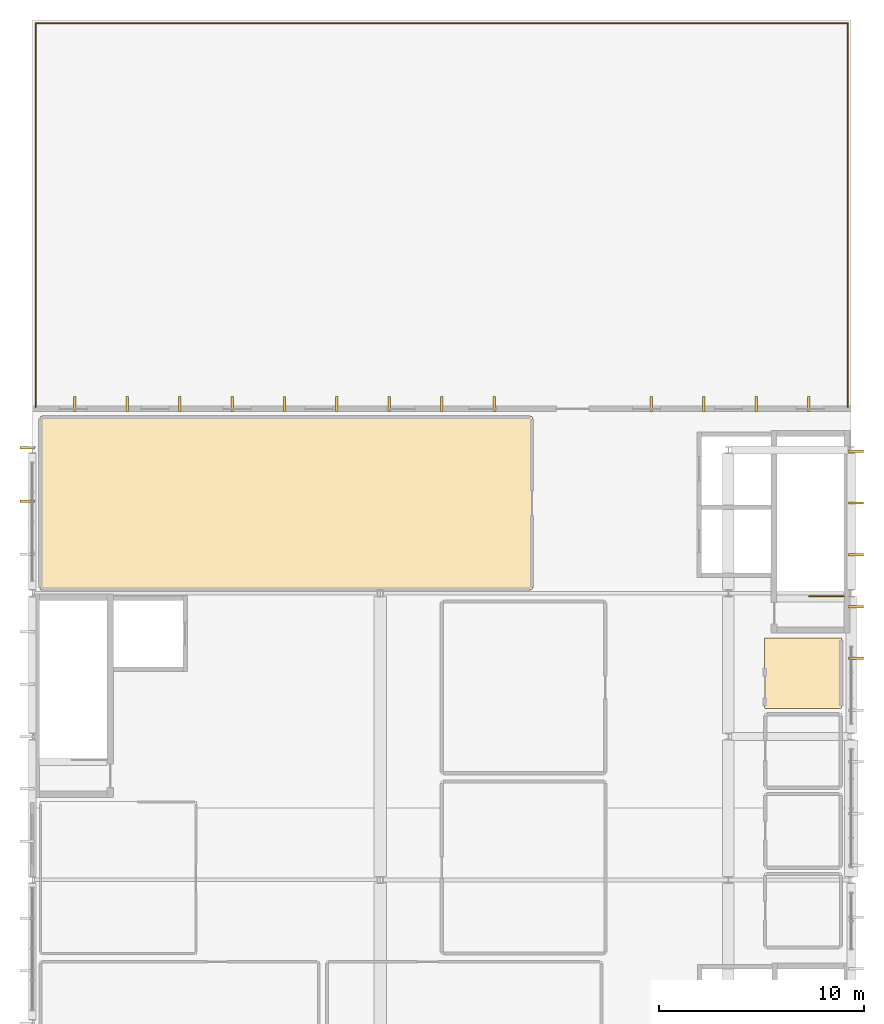
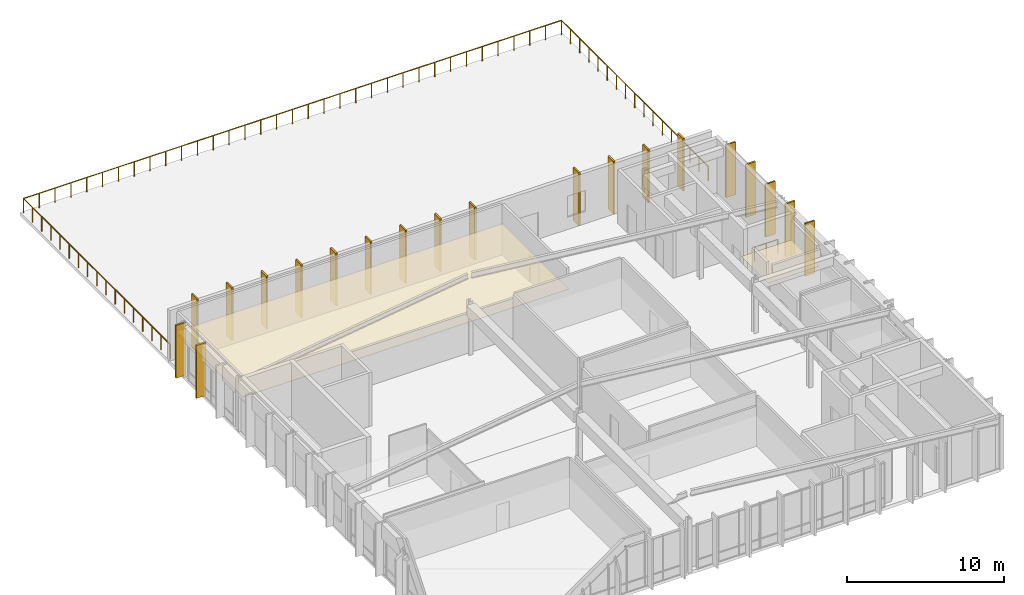
# One storey, part 16 of 16: 22 coverings, 2 railings.
"""IFC4 building model written with IfcOpenShell, lengths in metres."""

import ifcopenshell
import ifcopenshell.guid

model = None  # the IFC model being written
_history = None  # IfcOwnerHistory: only IFC2X3 demands one
_inside = {}  # id of a spatial element -> (the spatial element, [elements in it])
_under = {}  # id of a project, library or spatial element -> (it, [spatial elements below it])
_declared = {}  # id of a project -> (the project, [libraries it declares])
_typed = {}  # id of a type object -> (the type object, [elements of that type])
_made_of = {}  # id of a material, layer set ... -> (it, [elements and type objects made of it])


def new_model(schema):
    """Start an empty IFC model of exactly this schema.

    Asked for "IFC4X3", IfcOpenShell would pick the latest addendum, in which some entities
    have other attributes; the version numbers below select the first issue.
    IFC2X3 requires an IfcOwnerHistory on every rooted entity: one is made here for all.
    """
    global model, _history
    if schema == "IFC4X3":
        model = ifcopenshell.file(schema_version=(4, 3, 0, 0))
    else:
        model = ifcopenshell.file(schema=schema)
    _inside.clear()
    _under.clear()
    _declared.clear()
    _typed.clear()
    _made_of.clear()
    _history = None
    if model.schema == "IFC2X3":
        org = make("IfcOrganization", Name="unknown")
        user = make(
            "IfcPersonAndOrganization",
            ThePerson=make("IfcPerson", FamilyName="unknown"),
            TheOrganization=org,
        )
        app = make(
            "IfcApplication",
            ApplicationDeveloper=org,
            Version="unknown",
            ApplicationFullName="unknown",
            ApplicationIdentifier="unknown",
        )
        _history = make(
            "IfcOwnerHistory",
            OwningUser=user,
            OwningApplication=app,
            ChangeAction="ADDED",
            CreationDate=0,
        )
    return model


def make(cls, **values):
    """One entity of the class cls with the attributes given. An attribute that is None is left unset."""
    return model.create_entity(
        cls, **{name: value for name, value in values.items() if value is not None}
    )


def rooted(cls, **values):
    """An entity with a GlobalId (a new one), such as an element, a storey or a relation."""
    return make(cls, GlobalId=ifcopenshell.guid.new(), OwnerHistory=_history, **values)


def si_unit(unit_type, name, prefix=None):
    """IfcSIUnit, for example si_unit("LENGTHUNIT", "METRE", prefix="MILLI")."""
    return make("IfcSIUnit", UnitType=unit_type, Prefix=prefix, Name=name)


def assignment(units):
    """IfcUnitAssignment: the units of a project."""
    return None if units is None else make("IfcUnitAssignment", Units=units)


def point(xyz):
    """IfcCartesianPoint."""
    return None if xyz is None else make("IfcCartesianPoint", Coordinates=xyz)


def direction(xyz):
    """IfcDirection."""
    return None if xyz is None else make("IfcDirection", DirectionRatios=xyz)


def frame(location, z_axis=None, x_axis=None):
    """IfcAxis2Placement3D, a coordinate frame: its origin and axes. An axis left out is left unset."""
    return make(
        "IfcAxis2Placement3D",
        Location=point(location),
        Axis=direction(z_axis),
        RefDirection=direction(x_axis),
    )


def frame_2d(location, x_axis=None):
    """IfcAxis2Placement2D, a coordinate frame in the plane: its origin and x axis."""
    return make(
        "IfcAxis2Placement2D", Location=point(location), RefDirection=direction(x_axis)
    )


def origin():
    """The frame at (0, 0, 0) with its axes left unset."""
    return frame((0.0, 0.0, 0.0))


def origin_2d():
    """The frame at (0, 0) in the plane with its x axis left unset."""
    return frame_2d((0.0, 0.0))


def place(relative_to, where):
    """IfcLocalPlacement: puts the frame where relative to a parent placement (None: the world)."""
    return make(
        "IfcLocalPlacement", PlacementRelTo=relative_to, RelativePlacement=where
    )


def context(
    kind, dimensions, precision=None, world=None, true_north=None, identifier=None
):
    """IfcGeometricRepresentationContext, for example the 3D "Model" context."""
    return make(
        "IfcGeometricRepresentationContext",
        ContextIdentifier=identifier,
        ContextType=kind,
        CoordinateSpaceDimension=dimensions,
        Precision=precision,
        WorldCoordinateSystem=world,
        TrueNorth=true_north,
    )


def subcontext(parent, identifier, kind, view, scale=None):
    """IfcGeometricRepresentationSubContext, for example "Body" below "Model"."""
    return make(
        "IfcGeometricRepresentationSubContext",
        ContextIdentifier=identifier,
        ContextType=kind,
        ParentContext=parent,
        TargetScale=scale,
        TargetView=view,
    )


def project(units=None, contexts=None):
    """IfcProject with its units and contexts."""
    return rooted(
        "IfcProject",
        Name="project",
        RepresentationContexts=contexts,
        UnitsInContext=assignment(units),
    )


def spatial(cls, under=None, at=None, **own):
    """A site, building, storey or space (cls), placed at a placement, below another one or the project."""
    s = rooted(cls, ObjectPlacement=at, **own)
    if under is not None:
        _under.setdefault(under.id(), (under, []))[1].append(s)
    return s


def polyline(points):
    """IfcPolyline through the points."""
    return make("IfcPolyline", Points=[point(p) for p in points])


def profile(cls, at=None, kind="AREA", **sizes):
    """A parametric profile (cls). Its sizes go by their IFC names, for example OverallWidth=200.0."""
    return make(cls, ProfileType=kind, Position=at, **sizes)


def rectangle(**sizes):
    """IfcRectangleProfileDef."""
    return profile("IfcRectangleProfileDef", **sizes)


def circle(**sizes):
    """IfcCircleProfileDef."""
    return profile("IfcCircleProfileDef", **sizes)


def outline(outer, holes=None, kind="AREA"):
    """IfcArbitraryClosedProfileDef: a profile drawn as a closed curve; with holes, ...WithVoids."""
    if holes is None:
        return make("IfcArbitraryClosedProfileDef", ProfileType=kind, OuterCurve=outer)
    return make(
        "IfcArbitraryProfileDefWithVoids",
        ProfileType=kind,
        OuterCurve=outer,
        InnerCurves=holes,
    )


def extrude(swept, where, along, depth):
    """IfcExtrudedAreaSolid: the profile swept, set in the frame where, extruded along a direction by depth."""
    return make(
        "IfcExtrudedAreaSolid",
        SweptArea=swept,
        Position=where,
        ExtrudedDirection=direction(along),
        Depth=depth,
    )


def shape(context_of_items, identifier, shape_type, items):
    """IfcShapeRepresentation: the items that make up one representation, for example the "Body"."""
    return make(
        "IfcShapeRepresentation",
        ContextOfItems=context_of_items,
        RepresentationIdentifier=identifier,
        RepresentationType=shape_type,
        Items=items,
    )


def material(Name=None, Category=None):
    """IfcMaterial."""
    return make("IfcMaterial", Name=Name, Category=Category)


def layer(
    of_material, thickness, ventilated=None, Name=None, Category=None, Priority=None
):
    """IfcMaterialLayer: one layer of a wall or slab, of a material (None: an air gap)."""
    return make(
        "IfcMaterialLayer",
        Material=of_material,
        LayerThickness=thickness,
        IsVentilated=ventilated,
        Name=Name,
        Category=Category,
        Priority=Priority,
    )


def layer_set(layers, Name=None):
    """IfcMaterialLayerSet."""
    return make("IfcMaterialLayerSet", MaterialLayers=layers, LayerSetName=Name)


def made_of(thing, what):
    """Note that an element or type object is made of a material, layer set ...; save() writes the relation."""
    if what is not None:
        _made_of.setdefault(what.id(), (what, []))[1].append(thing)
    return thing


def type_object(cls, material=None, **own):
    """A type object (cls), such as IfcWallType, which elements share."""
    return made_of(rooted(cls, **own), material)


def element(
    cls,
    number,
    at=None,
    inside=None,
    cuts=None,
    type_object=None,
    material=None,
    context=None,
    identifier="Body",
    shape_type=None,
    held_by="IfcProductDefinitionShape",
    body=None,
    shapes=None,
    **own,
):
    """One element of the class cls, such as IfcWall. Its Tag is "e" and its number.

    at: its placement. inside: the storey or other place that contains it. cuts: it is an
    opening in that element (IfcRelVoidsElement). A single representation is given by context,
    identifier, shape_type and body (its items); several are given by shapes. held_by: the class
    of the entity that holds the representations. save() writes the other relations.
    """
    e = rooted(cls, Tag="e%d" % number, ObjectPlacement=at, **own)
    if body is not None:
        shapes = [shape(context, identifier, shape_type, body)]
    if shapes is not None:
        e.Representation = make(held_by, Representations=shapes)
    if inside is not None:
        _inside.setdefault(inside.id(), (inside, []))[1].append(e)
    if cuts is not None:
        rooted(
            "IfcRelVoidsElement", RelatingBuildingElement=cuts, RelatedOpeningElement=e
        )
    if type_object is not None:
        _typed.setdefault(type_object.id(), (type_object, []))[1].append(e)
    return made_of(e, material)


def aggregate(whole, parts):
    """IfcRelAggregates: a whole, such as a stair, and the parts it consists of."""
    return rooted("IfcRelAggregates", RelatingObject=whole, RelatedObjects=parts)


def save(model, path):
    """Write the relations noted so far, then the file.

    IfcRelAggregates (storeys below a building ...), IfcRelContainedInSpatialStructure (elements
    in a storey), IfcRelDefinesByType, IfcRelAssociatesMaterial and IfcRelDeclares: one each for
    every whole, place, type object, material and project.
    """
    for whole, parts in _under.values():
        aggregate(whole, parts)
    for where, things in _inside.values():
        rooted(
            "IfcRelContainedInSpatialStructure",
            RelatedElements=things,
            RelatingStructure=where,
        )
    for kind, things in _typed.values():
        rooted("IfcRelDefinesByType", RelatedObjects=things, RelatingType=kind)
    for what, things in _made_of.values():
        rooted("IfcRelAssociatesMaterial", RelatedObjects=things, RelatingMaterial=what)
    for by, libraries in _declared.values():
        rooted("IfcRelDeclares", RelatingContext=by, RelatedDefinitions=libraries)
    model.write(path)


model = new_model("IFC4")

# Units and contexts
model_context = context("Model", 3, precision=1e-05, world=origin(), true_north=direction((0.0, 1.0)))
body_context = subcontext(model_context, "Body", "Model", "MODEL_VIEW")
ifc_project = project(units=[si_unit("LENGTHUNIT", "METRE"), si_unit("AREAUNIT", "SQUARE_METRE"), si_unit("VOLUMEUNIT", "CUBIC_METRE"), si_unit("PLANEANGLEUNIT", "RADIAN"), si_unit("MASSUNIT", "GRAM", prefix="KILO")], contexts=[model_context])

# Site, building, storey
site_placement = place(None, origin())
site = spatial("IfcSite", under=ifc_project, at=site_placement, CompositionType="ELEMENT")
building_placement = place(site_placement, origin())
building = spatial("IfcBuilding", under=site, at=building_placement, Name="Larkveld Mobility Hub", CompositionType="ELEMENT")
storey_placement = place(building_placement, frame((0.0, 0.0, 22.800048828125)))
storey = spatial("IfcBuildingStorey", under=building, at=storey_placement, Name="L06", CompositionType="ELEMENT", Elevation=22.800048828125)

# Coverings
ifc_material_1 = material(Name="Precast concrete C50/60", Category="concrete")
ifc_layer_1 = layer(ifc_material_1, 0.1201171875, Name="Precast concrete C50/60", Category="concrete")
ifc_layer_set_1 = layer_set([ifc_layer_1], Name="Precast concrete C50/60")
covering_type_1 = type_object("IfcCoveringType", Name="COV-QSL-V01", PredefinedType="CLADDING", material=ifc_layer_set_1)
for number, where, z_axis, x_axis, name in (
    (1, (111.760009765625, 63.10009765625, -0.02001953125), (0.0, 0.0, 1.0), (0.0, -1.0, 0.0), "Precast Quebra-Sol Vertical Fin QSV-657"),
    (2, (111.760009765625, 60.5, -0.02001953125), (0.0, 0.0, 1.0), (0.0, -1.0, 0.0), "Precast Quebra-Sol Vertical Fin QSV-658"),
    (3, (152.239990234375, 52.821044921875, -0.02001953125), (0.0, 0.0, 1.0), (0.0, 1.0, 0.0), "Precast Quebra-Sol Vertical Fin QSV-669"),
    (4, (152.239990234375, 55.35009765625, -0.02001953125), (0.0, 0.0, 1.0), (0.0, 1.0, 0.0), "Precast Quebra-Sol Vertical Fin QSV-670"),
    (5, (152.239990234375, 57.87890625, -0.02001953125), (0.0, 0.0, 1.0), (0.0, 1.0, 0.0), "Precast Quebra-Sol Vertical Fin QSV-671"),
    (6, (152.239990234375, 60.406982421875, -0.02001953125), (0.0, 0.0, 1.0), (0.0, 1.0, 0.0), "Precast Quebra-Sol Vertical Fin QSV-672"),
    (7, (152.239990234375, 62.93603515625, -0.02001953125), (0.0, 0.0, 1.0), (0.0, 1.0, 0.0), "Precast Quebra-Sol Vertical Fin QSV-673"),
    (8, (149.919921875, 65.239990234375, -0.02001953125), (0.0, 0.0, 1.0), (-1.0, 0.0, 0.0), "Precast Quebra-Sol Vertical Fin QSV-674"),
    (9, (147.360107421875, 65.239990234375, -0.02001953125), (0.0, 0.0, 1.0), (-1.0, 0.0, 0.0), "Precast Quebra-Sol Vertical Fin QSV-675"),
    (10, (144.800048828125, 65.239990234375, -0.02001953125), (0.0, 0.0, 1.0), (-1.0, 0.0, 0.0), "Precast Quebra-Sol Vertical Fin QSV-676"),
    (11, (142.239990234375, 65.239990234375, -0.02001953125), (0.0, 0.0, 1.0), (-1.0, 0.0, 0.0), "Precast Quebra-Sol Vertical Fin QSV-677"),
    (12, (134.56005859375, 65.239990234375, -0.02001953125), (0.0, 0.0, 1.0), (-1.0, 0.0, 0.0), "Precast Quebra-Sol Vertical Fin QSV-678"),
    (13, (132.0, 65.239990234375, -0.02001953125), (0.0, 0.0, 1.0), (-1.0, 0.0, 0.0), "Precast Quebra-Sol Vertical Fin QSV-679"),
    (14, (129.43994140625, 65.239990234375, -0.02001953125), (0.0, 0.0, 1.0), (-1.0, 0.0, 0.0), "Precast Quebra-Sol Vertical Fin QSV-680"),
    (15, (126.8798828125, 65.239990234375, -0.02001953125), (0.0, 0.0, 1.0), (-1.0, 0.0, 0.0), "Precast Quebra-Sol Vertical Fin QSV-681"),
    (16, (124.320068359375, 65.239990234375, -0.02001953125), (0.0, 0.0, 1.0), (-1.0, 0.0, 0.0), "Precast Quebra-Sol Vertical Fin QSV-682"),
    (17, (121.760009765625, 65.239990234375, -0.02001953125), (0.0, 0.0, 1.0), (-1.0, 0.0, 0.0), "Precast Quebra-Sol Vertical Fin QSV-683"),
    (18, (119.199951171875, 65.239990234375, -0.02001953125), (0.0, 0.0, 1.0), (-1.0, 0.0, 0.0), "Precast Quebra-Sol Vertical Fin QSV-684"),
    (19, (116.639892578125, 65.239990234375, -0.02001953125), (0.0, 0.0, 1.0), (-1.0, 0.0, 0.0), "Precast Quebra-Sol Vertical Fin QSV-685"),
    (20, (114.080078125, 65.239990234375, -0.02001953125), (0.0, 0.0, 1.0), (-1.0, 0.0, 0.0), "Precast Quebra-Sol Vertical Fin QSV-686"),
):
    element("IfcCovering", number, at=place(storey_placement, frame(where, z_axis=z_axis, x_axis=x_axis)), inside=storey, type_object=covering_type_1, Name=name, PredefinedType="CLADDING", context=body_context, shape_type="SweptSolid", body=[
        extrude(rectangle(XDim=0.1201171875, YDim=0.719970703125, at=origin_2d()), origin(), (0.0, 0.0, 1.0), 4.1201171875),
    ])
ifc_material_2 = material(Name="Perforated mineral-fibre acoustic ceiling", Category="masonry")
ifc_layer_2 = layer(ifc_material_2, 0.02001953125, Name="Perforated mineral-fibre acoustic ceiling", Category="masonry")
ifc_layer_set_2 = layer_set([ifc_layer_2], Name="Perforated mineral-fibre acoustic ceiling")
covering_type_2 = type_object("IfcCoveringType", Name="CV-CLG-020", PredefinedType="CEILING", material=ifc_layer_set_2)
covering_1_placement = place(storey_placement, frame((0.0, 0.0, 2.329833984375)))
element("IfcCovering", 21, at=covering_1_placement, inside=storey, type_object=covering_type_2, Name="Cleaners Store Room Acoustic Ceiling 064", PredefinedType="CEILING", context=body_context, shape_type="SweptSolid", body=[
    extrude(outline(polyline([(147.820068359375, 50.3701171875), (147.81689453125, 50.3701171875), (147.81396484375, 50.37109375), (147.81103515625, 50.37109375), (147.80908203125, 50.3720703125), (147.805908203125, 50.3740234375), (147.802978515625, 50.375), (147.801025390625, 50.376953125), (147.799072265625, 50.37890625), (147.779052734375, 50.39892578125), (147.777099609375, 50.40087890625), (147.77490234375, 50.403076171875), (147.77392578125, 50.406005859375), (147.77197265625, 50.408935546875), (147.77099609375, 50.410888671875), (147.77099609375, 50.4140625), (147.77001953125, 50.4169921875), (147.77001953125, 50.419921875), (147.77587890625, 53.7939453125), (147.77587890625, 53.797119140625), (147.77587890625, 53.800048828125), (147.777099609375, 53.802978515625), (147.778076171875, 53.805908203125), (147.779052734375, 53.80810546875), (147.781005859375, 53.81103515625), (147.782958984375, 53.81298828125), (147.784912109375, 53.81494140625), (147.787109375, 53.81689453125), (147.7890625, 53.819091796875), (147.7919921875, 53.821044921875), (147.7939453125, 53.822021484375), (147.797119140625, 53.822998046875), (147.800048828125, 53.823974609375), (147.802978515625, 53.823974609375), (147.805908203125, 53.823974609375), (151.493896484375, 53.823974609375), (151.4970703125, 53.823974609375), (151.5, 53.823974609375), (151.5029296875, 53.822998046875), (151.506103515625, 53.822021484375), (151.508056640625, 53.821044921875), (151.510986328125, 53.819091796875), (151.512939453125, 53.81689453125), (151.514892578125, 53.81494140625), (151.51708984375, 53.81298828125), (151.51904296875, 53.81103515625), (151.52099609375, 53.80810546875), (151.52197265625, 53.805908203125), (151.52294921875, 53.802978515625), (151.52392578125, 53.800048828125), (151.52392578125, 53.797119140625), (151.52392578125, 53.7939453125), (151.52392578125, 50.406005859375), (151.52392578125, 50.403076171875), (151.52392578125, 50.39990234375), (151.52294921875, 50.39697265625), (151.52197265625, 50.39404296875), (151.52099609375, 50.39208984375), (151.51904296875, 50.388916015625), (151.51708984375, 50.386962890625), (151.514892578125, 50.385009765625), (151.512939453125, 50.383056640625), (151.510986328125, 50.381103515625), (151.508056640625, 50.37890625), (151.506103515625, 50.3779296875), (151.5029296875, 50.376953125), (151.5, 50.3759765625), (151.4970703125, 50.3759765625), (151.493896484375, 50.3759765625), (147.820068359375, 50.3701171875)])), origin(), (0.0, 0.0, 1.0), 0.02001953125),
])
ifc_material_3 = material(Name="Moisture-resistant gypsum board ceiling", Category="masonry")
ifc_layer_3 = layer(ifc_material_3, 0.02490234375, Name="Moisture-resistant gypsum board ceiling", Category="masonry")
ifc_layer_set_3 = layer_set([ifc_layer_3], Name="Moisture-resistant gypsum board ceiling")
covering_type_3 = type_object("IfcCoveringType", Name="CV-CLG-025", PredefinedType="CEILING", material=ifc_layer_set_3)
covering_2_placement = place(storey_placement, frame((0.0, 0.0, 2.324951171875)))
element("IfcCovering", 22, at=covering_2_placement, inside=storey, type_object=covering_type_3, Name="Harbour View Spectator Club Lounge Acoustic Ceiling 069", PredefinedType="CEILING", context=body_context, shape_type="SweptSolid", body=[
    extrude(outline(polyline([(112.419921875, 56.169921875), (112.4169921875, 56.169921875), (112.4140625, 56.1708984375), (112.410888671875, 56.1708984375), (112.408935546875, 56.172119140625), (112.406005859375, 56.174072265625), (112.403076171875, 56.175048828125), (112.40087890625, 56.177001953125), (112.39892578125, 56.178955078125), (112.37890625, 56.198974609375), (112.376953125, 56.200927734375), (112.375, 56.202880859375), (112.3740234375, 56.2060546875), (112.3720703125, 56.208984375), (112.37109375, 56.2109375), (112.37109375, 56.214111328125), (112.3701171875, 56.217041015625), (112.3701171875, 56.219970703125), (112.3701171875, 64.580078125), (112.3701171875, 64.5830078125), (112.37109375, 64.5859375), (112.3720703125, 64.589111328125), (112.373046875, 64.592041015625), (112.3740234375, 64.594970703125), (112.3759765625, 64.597900390625), (112.389892578125, 64.616943359375), (112.39208984375, 64.618896484375), (112.39404296875, 64.6220703125), (112.39697265625, 64.6240234375), (112.39892578125, 64.625), (112.402099609375, 64.626953125), (112.405029296875, 64.6279296875), (112.407958984375, 64.6279296875), (112.410888671875, 64.62890625), (112.4140625, 64.62890625), (136.3798828125, 64.6298828125), (136.383056640625, 64.6298828125), (136.385009765625, 64.6298828125), (136.387939453125, 64.62890625), (136.39111328125, 64.6279296875), (136.39306640625, 64.626953125), (136.39599609375, 64.6259765625), (136.39794921875, 64.6240234375), (136.4169921875, 64.610107421875), (136.4189453125, 64.60791015625), (136.422119140625, 64.60595703125), (136.424072265625, 64.60302734375), (136.425048828125, 64.60107421875), (136.427001953125, 64.597900390625), (136.427978515625, 64.594970703125), (136.427978515625, 64.592041015625), (136.428955078125, 64.589111328125), (136.428955078125, 64.5859375), (136.429931640625, 56.219970703125), (136.429931640625, 56.217041015625), (136.429931640625, 56.215087890625), (136.428955078125, 56.2119140625), (136.427978515625, 56.208984375), (136.427001953125, 56.20703125), (136.426025390625, 56.2041015625), (136.424072265625, 56.201904296875), (136.409912109375, 56.18310546875), (136.407958984375, 56.180908203125), (136.406005859375, 56.177978515625), (136.403076171875, 56.176025390625), (136.40087890625, 56.175048828125), (136.39794921875, 56.173095703125), (136.39501953125, 56.172119140625), (136.39208984375, 56.172119140625), (136.388916015625, 56.1708984375), (136.385986328125, 56.1708984375), (112.419921875, 56.169921875)])), origin(), (0.0, 0.0, 1.0), 0.02490234375),
])

# Railings
ifc_material_4 = material(Name="Galvanized Steel S355JR balustrade", Category="steel")
railing_type_1 = type_object("IfcRailingType", Name="RL-GRD-1100", PredefinedType="GUARDRAIL", material=ifc_material_4)
railing_1_placement = place(storey_placement, frame((151.64990234375, 55.860107421875, 0.0)))
element("IfcRailing", 23, at=railing_1_placement, inside=storey, type_object=railing_type_1, Name="L06 ST2 top well guard 1", PredefinedType="GUARDRAIL", context=body_context, shape_type="SweptSolid", body=[
    extrude(circle(Radius=0.02392578125, at=origin_2d()), frame((0.0, 0.0, 1.076171875), z_axis=(-1.0, 0.0, 0.0), x_axis=(0.0, -1.0, 0.0)), (0.0, 0.0, 1.0), 1.7099609375),
    extrude(circle(Radius=0.02099609375, at=origin_2d()), origin(), (0.0, 0.0, 1.0), 1.052001953125),
    extrude(circle(Radius=0.02099609375, at=origin_2d()), frame((-0.85498046875, 0.0, 0.0)), (0.0, 0.0, 1.0), 1.052001953125),
    extrude(circle(Radius=0.02099609375, at=origin_2d()), frame((-1.7099609375, 0.0, 0.0)), (0.0, 0.0, 1.0), 1.052001953125),
])
ifc_material_5 = material(Name="Anodized aluminium 6063-T6 balustrade", Category="aluminium")
railing_type_2 = type_object("IfcRailingType", Name="RL-GRD-1150", PredefinedType="GUARDRAIL", material=ifc_material_5)
railing_2_placement = place(storey_placement, frame((112.159912109375, 65.080078125, 0.0)))
element("IfcRailing", 24, at=railing_2_placement, inside=storey, type_object=railing_type_2, Name="Spectator Veranda L06 Guard L06-056", PredefinedType="GUARDRAIL", context=body_context, shape_type="SweptSolid", body=[
    extrude(circle(Radius=0.02392578125, at=origin_2d()), frame((0.0, 0.0, 1.1259765625), z_axis=(0.0, 1.0, 0.0), x_axis=(-1.0, 0.0, 0.0)), (0.0, 0.0, 1.0), 18.760009765625),
    extrude(circle(Radius=0.02392578125, at=origin_2d()), frame((0.0, 18.760009765625, 1.1259765625), z_axis=(1.0, 0.0, 0.0), x_axis=(0.0, 1.0, 0.0)), (0.0, 0.0, 1.0), 39.68017578125),
    extrude(circle(Radius=0.02392578125, at=origin_2d()), frame((39.68017578125, 18.760009765625, 1.1259765625), z_axis=(0.0, -1.0, 0.0), x_axis=(1.0, 0.0, 0.0)), (0.0, 0.0, 1.0), 18.760009765625),
    extrude(circle(Radius=0.02099609375, at=origin_2d()), origin(), (0.0, 0.0, 1.0), 1.101806640625),
    extrude(circle(Radius=0.02099609375, at=origin_2d()), frame((0.0, 1.172607421875, 0.0)), (0.0, 0.0, 1.0), 1.101806640625),
    extrude(circle(Radius=0.02099609375, at=origin_2d()), frame((0.0, 2.344970703125, 0.0)), (0.0, 0.0, 1.0), 1.101806640625),
    extrude(circle(Radius=0.02099609375, at=origin_2d()), frame((0.0, 3.517578125, 0.0)), (0.0, 0.0, 1.0), 1.101806640625),
    extrude(circle(Radius=0.02099609375, at=origin_2d()), frame((0.0, 4.68994140625, 0.0)), (0.0, 0.0, 1.0), 1.101806640625),
    extrude(circle(Radius=0.02099609375, at=origin_2d()), frame((0.0, 5.862548828125, 0.0)), (0.0, 0.0, 1.0), 1.101806640625),
    extrude(circle(Radius=0.02099609375, at=origin_2d()), frame((0.0, 7.034912109375, 0.0)), (0.0, 0.0, 1.0), 1.101806640625),
    extrude(circle(Radius=0.02099609375, at=origin_2d()), frame((0.0, 8.20751953125, 0.0)), (0.0, 0.0, 1.0), 1.101806640625),
    extrude(circle(Radius=0.02099609375, at=origin_2d()), frame((0.0, 9.3798828125, 0.0)), (0.0, 0.0, 1.0), 1.101806640625),
    extrude(circle(Radius=0.02099609375, at=origin_2d()), frame((0.0, 10.552490234375, 0.0)), (0.0, 0.0, 1.0), 1.101806640625),
    extrude(circle(Radius=0.02099609375, at=origin_2d()), frame((0.0, 11.72509765625, 0.0)), (0.0, 0.0, 1.0), 1.101806640625),
    extrude(circle(Radius=0.02099609375, at=origin_2d()), frame((0.0, 12.8974609375, 0.0)), (0.0, 0.0, 1.0), 1.101806640625),
    extrude(circle(Radius=0.02099609375, at=origin_2d()), frame((0.0, 14.070068359375, 0.0)), (0.0, 0.0, 1.0), 1.101806640625),
    extrude(circle(Radius=0.02099609375, at=origin_2d()), frame((0.0, 15.242431640625, 0.0)), (0.0, 0.0, 1.0), 1.101806640625),
    extrude(circle(Radius=0.02099609375, at=origin_2d()), frame((0.0, 16.4150390625, 0.0)), (0.0, 0.0, 1.0), 1.101806640625),
    extrude(circle(Radius=0.02099609375, at=origin_2d()), frame((0.0, 17.58740234375, 0.0)), (0.0, 0.0, 1.0), 1.101806640625),
    extrude(circle(Radius=0.02099609375, at=origin_2d()), frame((0.0, 18.760009765625, 0.0)), (0.0, 0.0, 1.0), 1.101806640625),
    extrude(circle(Radius=0.02099609375, at=origin_2d()), frame((1.1669921875, 18.760009765625, 0.0)), (0.0, 0.0, 1.0), 1.101806640625),
    extrude(circle(Radius=0.02099609375, at=origin_2d()), frame((2.334228515625, 18.760009765625, 0.0)), (0.0, 0.0, 1.0), 1.101806640625),
    extrude(circle(Radius=0.02099609375, at=origin_2d()), frame((3.501220703125, 18.760009765625, 0.0)), (0.0, 0.0, 1.0), 1.101806640625),
    extrude(circle(Radius=0.02099609375, at=origin_2d()), frame((4.668212890625, 18.760009765625, 0.0)), (0.0, 0.0, 1.0), 1.101806640625),
    extrude(circle(Radius=0.02099609375, at=origin_2d()), frame((5.835205078125, 18.760009765625, 0.0)), (0.0, 0.0, 1.0), 1.101806640625),
    extrude(circle(Radius=0.02099609375, at=origin_2d()), frame((7.00244140625, 18.760009765625, 0.0)), (0.0, 0.0, 1.0), 1.101806640625),
    extrude(circle(Radius=0.02099609375, at=origin_2d()), frame((8.16943359375, 18.760009765625, 0.0)), (0.0, 0.0, 1.0), 1.101806640625),
    extrude(circle(Radius=0.02099609375, at=origin_2d()), frame((9.33642578125, 18.760009765625, 0.0)), (0.0, 0.0, 1.0), 1.101806640625),
    extrude(circle(Radius=0.02099609375, at=origin_2d()), frame((10.503662109375, 18.760009765625, 0.0)), (0.0, 0.0, 1.0), 1.101806640625),
    extrude(circle(Radius=0.02099609375, at=origin_2d()), frame((11.670654296875, 18.760009765625, 0.0)), (0.0, 0.0, 1.0), 1.101806640625),
    extrude(circle(Radius=0.02099609375, at=origin_2d()), frame((12.837646484375, 18.760009765625, 0.0)), (0.0, 0.0, 1.0), 1.101806640625),
    extrude(circle(Radius=0.02099609375, at=origin_2d()), frame((14.0048828125, 18.760009765625, 0.0)), (0.0, 0.0, 1.0), 1.101806640625),
    extrude(circle(Radius=0.02099609375, at=origin_2d()), frame((15.171875, 18.760009765625, 0.0)), (0.0, 0.0, 1.0), 1.101806640625),
    extrude(circle(Radius=0.02099609375, at=origin_2d()), frame((16.3388671875, 18.760009765625, 0.0)), (0.0, 0.0, 1.0), 1.101806640625),
    extrude(circle(Radius=0.02099609375, at=origin_2d()), frame((17.505859375, 18.760009765625, 0.0)), (0.0, 0.0, 1.0), 1.101806640625),
    extrude(circle(Radius=0.02099609375, at=origin_2d()), frame((18.673095703125, 18.760009765625, 0.0)), (0.0, 0.0, 1.0), 1.101806640625),
    extrude(circle(Radius=0.02099609375, at=origin_2d()), frame((19.840087890625, 18.760009765625, 0.0)), (0.0, 0.0, 1.0), 1.101806640625),
    extrude(circle(Radius=0.02099609375, at=origin_2d()), frame((21.007080078125, 18.760009765625, 0.0)), (0.0, 0.0, 1.0), 1.101806640625),
    extrude(circle(Radius=0.02099609375, at=origin_2d()), frame((22.17431640625, 18.760009765625, 0.0)), (0.0, 0.0, 1.0), 1.101806640625),
    extrude(circle(Radius=0.02099609375, at=origin_2d()), frame((23.34130859375, 18.760009765625, 0.0)), (0.0, 0.0, 1.0), 1.101806640625),
    extrude(circle(Radius=0.02099609375, at=origin_2d()), frame((24.50830078125, 18.760009765625, 0.0)), (0.0, 0.0, 1.0), 1.101806640625),
    extrude(circle(Radius=0.02099609375, at=origin_2d()), frame((25.67529296875, 18.760009765625, 0.0)), (0.0, 0.0, 1.0), 1.101806640625),
    extrude(circle(Radius=0.02099609375, at=origin_2d()), frame((26.842529296875, 18.760009765625, 0.0)), (0.0, 0.0, 1.0), 1.101806640625),
    extrude(circle(Radius=0.02099609375, at=origin_2d()), frame((28.009521484375, 18.760009765625, 0.0)), (0.0, 0.0, 1.0), 1.101806640625),
    extrude(circle(Radius=0.02099609375, at=origin_2d()), frame((29.176513671875, 18.760009765625, 0.0)), (0.0, 0.0, 1.0), 1.101806640625),
    extrude(circle(Radius=0.02099609375, at=origin_2d()), frame((30.34375, 18.760009765625, 0.0)), (0.0, 0.0, 1.0), 1.101806640625),
    extrude(circle(Radius=0.02099609375, at=origin_2d()), frame((31.5107421875, 18.760009765625, 0.0)), (0.0, 0.0, 1.0), 1.101806640625),
    extrude(circle(Radius=0.02099609375, at=origin_2d()), frame((32.677734375, 18.760009765625, 0.0)), (0.0, 0.0, 1.0), 1.101806640625),
    extrude(circle(Radius=0.02099609375, at=origin_2d()), frame((33.844970703125, 18.760009765625, 0.0)), (0.0, 0.0, 1.0), 1.101806640625),
    extrude(circle(Radius=0.02099609375, at=origin_2d()), frame((35.011962890625, 18.760009765625, 0.0)), (0.0, 0.0, 1.0), 1.101806640625),
    extrude(circle(Radius=0.02099609375, at=origin_2d()), frame((36.178955078125, 18.760009765625, 0.0)), (0.0, 0.0, 1.0), 1.101806640625),
    extrude(circle(Radius=0.02099609375, at=origin_2d()), frame((37.345947265625, 18.760009765625, 0.0)), (0.0, 0.0, 1.0), 1.101806640625),
    extrude(circle(Radius=0.02099609375, at=origin_2d()), frame((38.51318359375, 18.760009765625, 0.0)), (0.0, 0.0, 1.0), 1.101806640625),
    extrude(circle(Radius=0.02099609375, at=origin_2d()), frame((39.68017578125, 18.760009765625, 0.0)), (0.0, 0.0, 1.0), 1.101806640625),
    extrude(circle(Radius=0.02099609375, at=origin_2d()), frame((39.68017578125, 17.58740234375, 0.0)), (0.0, 0.0, 1.0), 1.101806640625),
    extrude(circle(Radius=0.02099609375, at=origin_2d()), frame((39.68017578125, 16.4150390625, 0.0)), (0.0, 0.0, 1.0), 1.101806640625),
    extrude(circle(Radius=0.02099609375, at=origin_2d()), frame((39.68017578125, 15.242431640625, 0.0)), (0.0, 0.0, 1.0), 1.101806640625),
    extrude(circle(Radius=0.02099609375, at=origin_2d()), frame((39.68017578125, 14.070068359375, 0.0)), (0.0, 0.0, 1.0), 1.101806640625),
    extrude(circle(Radius=0.02099609375, at=origin_2d()), frame((39.68017578125, 12.8974609375, 0.0)), (0.0, 0.0, 1.0), 1.101806640625),
    extrude(circle(Radius=0.02099609375, at=origin_2d()), frame((39.68017578125, 11.72509765625, 0.0)), (0.0, 0.0, 1.0), 1.101806640625),
    extrude(circle(Radius=0.02099609375, at=origin_2d()), frame((39.68017578125, 10.552490234375, 0.0)), (0.0, 0.0, 1.0), 1.101806640625),
    extrude(circle(Radius=0.02099609375, at=origin_2d()), frame((39.68017578125, 9.3798828125, 0.0)), (0.0, 0.0, 1.0), 1.101806640625),
    extrude(circle(Radius=0.02099609375, at=origin_2d()), frame((39.68017578125, 8.20751953125, 0.0)), (0.0, 0.0, 1.0), 1.101806640625),
    extrude(circle(Radius=0.02099609375, at=origin_2d()), frame((39.68017578125, 7.034912109375, 0.0)), (0.0, 0.0, 1.0), 1.101806640625),
    extrude(circle(Radius=0.02099609375, at=origin_2d()), frame((39.68017578125, 5.862548828125, 0.0)), (0.0, 0.0, 1.0), 1.101806640625),
    extrude(circle(Radius=0.02099609375, at=origin_2d()), frame((39.68017578125, 4.68994140625, 0.0)), (0.0, 0.0, 1.0), 1.101806640625),
    extrude(circle(Radius=0.02099609375, at=origin_2d()), frame((39.68017578125, 3.517578125, 0.0)), (0.0, 0.0, 1.0), 1.101806640625),
    extrude(circle(Radius=0.02099609375, at=origin_2d()), frame((39.68017578125, 2.344970703125, 0.0)), (0.0, 0.0, 1.0), 1.101806640625),
    extrude(circle(Radius=0.02099609375, at=origin_2d()), frame((39.68017578125, 1.172607421875, 0.0)), (0.0, 0.0, 1.0), 1.101806640625),
    extrude(circle(Radius=0.02099609375, at=origin_2d()), frame((39.68017578125, 0.0, 0.0)), (0.0, 0.0, 1.0), 1.101806640625),
])

save(model, "model.ifc")
